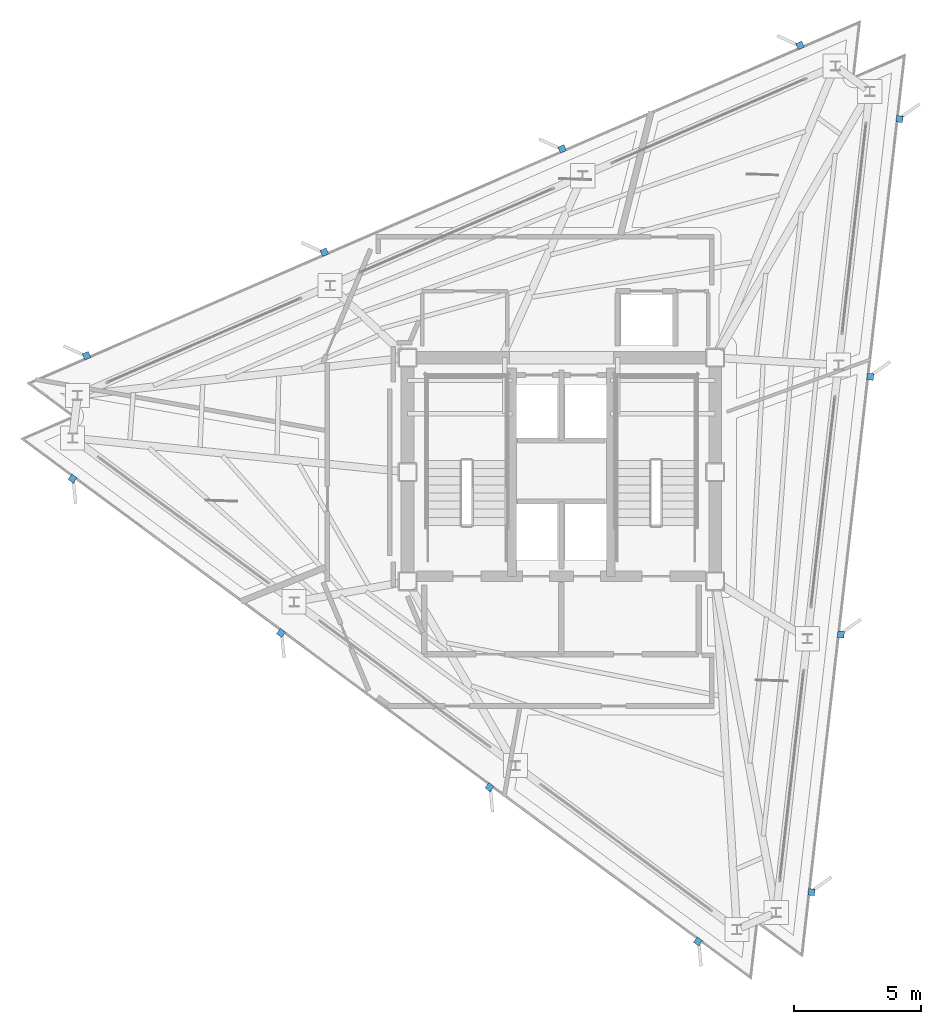
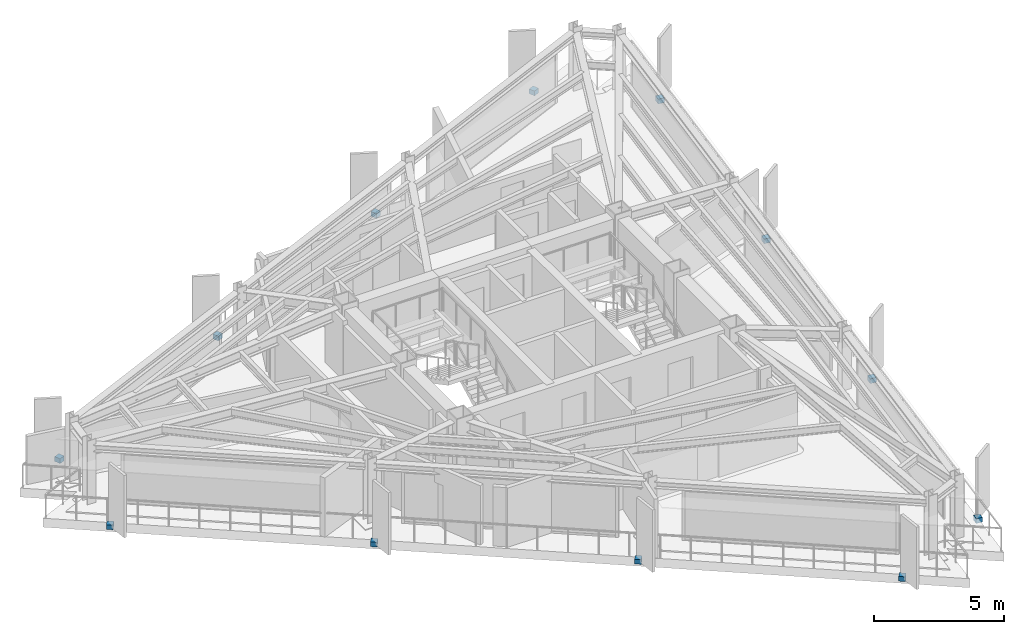
# One storey, part 7 of 10: 12 discrete accessories.
"""IFC4 building model written with IfcOpenShell, lengths in metres."""

import ifcopenshell
import ifcopenshell.guid

model = None  # the IFC model being written
_history = None  # IfcOwnerHistory: only IFC2X3 demands one
_inside = {}  # id of a spatial element -> (the spatial element, [elements in it])
_under = {}  # id of a project, library or spatial element -> (it, [spatial elements below it])
_declared = {}  # id of a project -> (the project, [libraries it declares])
_typed = {}  # id of a type object -> (the type object, [elements of that type])
_made_of = {}  # id of a material, layer set ... -> (it, [elements and type objects made of it])


def new_model(schema):
    """Start an empty IFC model of exactly this schema.

    Asked for "IFC4X3", IfcOpenShell would pick the latest addendum, in which some entities
    have other attributes; the version numbers below select the first issue.
    IFC2X3 requires an IfcOwnerHistory on every rooted entity: one is made here for all.
    """
    global model, _history
    if schema == "IFC4X3":
        model = ifcopenshell.file(schema_version=(4, 3, 0, 0))
    else:
        model = ifcopenshell.file(schema=schema)
    _inside.clear()
    _under.clear()
    _declared.clear()
    _typed.clear()
    _made_of.clear()
    _history = None
    if model.schema == "IFC2X3":
        org = make("IfcOrganization", Name="unknown")
        user = make(
            "IfcPersonAndOrganization",
            ThePerson=make("IfcPerson", FamilyName="unknown"),
            TheOrganization=org,
        )
        app = make(
            "IfcApplication",
            ApplicationDeveloper=org,
            Version="unknown",
            ApplicationFullName="unknown",
            ApplicationIdentifier="unknown",
        )
        _history = make(
            "IfcOwnerHistory",
            OwningUser=user,
            OwningApplication=app,
            ChangeAction="ADDED",
            CreationDate=0,
        )
    return model


def make(cls, **values):
    """One entity of the class cls with the attributes given. An attribute that is None is left unset."""
    return model.create_entity(
        cls, **{name: value for name, value in values.items() if value is not None}
    )


def rooted(cls, **values):
    """An entity with a GlobalId (a new one), such as an element, a storey or a relation."""
    return make(cls, GlobalId=ifcopenshell.guid.new(), OwnerHistory=_history, **values)


def si_unit(unit_type, name, prefix=None):
    """IfcSIUnit, for example si_unit("LENGTHUNIT", "METRE", prefix="MILLI")."""
    return make("IfcSIUnit", UnitType=unit_type, Prefix=prefix, Name=name)


def assignment(units):
    """IfcUnitAssignment: the units of a project."""
    return None if units is None else make("IfcUnitAssignment", Units=units)


def point(xyz):
    """IfcCartesianPoint."""
    return None if xyz is None else make("IfcCartesianPoint", Coordinates=xyz)


def direction(xyz):
    """IfcDirection."""
    return None if xyz is None else make("IfcDirection", DirectionRatios=xyz)


def frame(location, z_axis=None, x_axis=None):
    """IfcAxis2Placement3D, a coordinate frame: its origin and axes. An axis left out is left unset."""
    return make(
        "IfcAxis2Placement3D",
        Location=point(location),
        Axis=direction(z_axis),
        RefDirection=direction(x_axis),
    )


def frame_2d(location, x_axis=None):
    """IfcAxis2Placement2D, a coordinate frame in the plane: its origin and x axis."""
    return make(
        "IfcAxis2Placement2D", Location=point(location), RefDirection=direction(x_axis)
    )


def origin():
    """The frame at (0, 0, 0) with its axes left unset."""
    return frame((0.0, 0.0, 0.0))


def origin_2d():
    """The frame at (0, 0) in the plane with its x axis left unset."""
    return frame_2d((0.0, 0.0))


def place(relative_to, where):
    """IfcLocalPlacement: puts the frame where relative to a parent placement (None: the world)."""
    return make(
        "IfcLocalPlacement", PlacementRelTo=relative_to, RelativePlacement=where
    )


def context(
    kind, dimensions, precision=None, world=None, true_north=None, identifier=None
):
    """IfcGeometricRepresentationContext, for example the 3D "Model" context."""
    return make(
        "IfcGeometricRepresentationContext",
        ContextIdentifier=identifier,
        ContextType=kind,
        CoordinateSpaceDimension=dimensions,
        Precision=precision,
        WorldCoordinateSystem=world,
        TrueNorth=true_north,
    )


def subcontext(parent, identifier, kind, view, scale=None):
    """IfcGeometricRepresentationSubContext, for example "Body" below "Model"."""
    return make(
        "IfcGeometricRepresentationSubContext",
        ContextIdentifier=identifier,
        ContextType=kind,
        ParentContext=parent,
        TargetScale=scale,
        TargetView=view,
    )


def project(units=None, contexts=None):
    """IfcProject with its units and contexts."""
    return rooted(
        "IfcProject",
        Name="project",
        RepresentationContexts=contexts,
        UnitsInContext=assignment(units),
    )


def spatial(cls, under=None, at=None, **own):
    """A site, building, storey or space (cls), placed at a placement, below another one or the project."""
    s = rooted(cls, ObjectPlacement=at, **own)
    if under is not None:
        _under.setdefault(under.id(), (under, []))[1].append(s)
    return s


def profile(cls, at=None, kind="AREA", **sizes):
    """A parametric profile (cls). Its sizes go by their IFC names, for example OverallWidth=200.0."""
    return make(cls, ProfileType=kind, Position=at, **sizes)


def rectangle(**sizes):
    """IfcRectangleProfileDef."""
    return profile("IfcRectangleProfileDef", **sizes)


def extrude(swept, where, along, depth):
    """IfcExtrudedAreaSolid: the profile swept, set in the frame where, extruded along a direction by depth."""
    return make(
        "IfcExtrudedAreaSolid",
        SweptArea=swept,
        Position=where,
        ExtrudedDirection=direction(along),
        Depth=depth,
    )


def shape(context_of_items, identifier, shape_type, items):
    """IfcShapeRepresentation: the items that make up one representation, for example the "Body"."""
    return make(
        "IfcShapeRepresentation",
        ContextOfItems=context_of_items,
        RepresentationIdentifier=identifier,
        RepresentationType=shape_type,
        Items=items,
    )


def material(Name=None, Category=None):
    """IfcMaterial."""
    return make("IfcMaterial", Name=Name, Category=Category)


def layer(
    of_material, thickness, ventilated=None, Name=None, Category=None, Priority=None
):
    """IfcMaterialLayer: one layer of a wall or slab, of a material (None: an air gap)."""
    return make(
        "IfcMaterialLayer",
        Material=of_material,
        LayerThickness=thickness,
        IsVentilated=ventilated,
        Name=Name,
        Category=Category,
        Priority=Priority,
    )


def layer_set(layers, Name=None):
    """IfcMaterialLayerSet."""
    return make("IfcMaterialLayerSet", MaterialLayers=layers, LayerSetName=Name)


def made_of(thing, what):
    """Note that an element or type object is made of a material, layer set ...; save() writes the relation."""
    if what is not None:
        _made_of.setdefault(what.id(), (what, []))[1].append(thing)
    return thing


def type_object(cls, material=None, **own):
    """A type object (cls), such as IfcWallType, which elements share."""
    return made_of(rooted(cls, **own), material)


def element(
    cls,
    number,
    at=None,
    inside=None,
    cuts=None,
    type_object=None,
    material=None,
    context=None,
    identifier="Body",
    shape_type=None,
    held_by="IfcProductDefinitionShape",
    body=None,
    shapes=None,
    **own,
):
    """One element of the class cls, such as IfcWall. Its Tag is "e" and its number.

    at: its placement. inside: the storey or other place that contains it. cuts: it is an
    opening in that element (IfcRelVoidsElement). A single representation is given by context,
    identifier, shape_type and body (its items); several are given by shapes. held_by: the class
    of the entity that holds the representations. save() writes the other relations.
    """
    e = rooted(cls, Tag="e%d" % number, ObjectPlacement=at, **own)
    if body is not None:
        shapes = [shape(context, identifier, shape_type, body)]
    if shapes is not None:
        e.Representation = make(held_by, Representations=shapes)
    if inside is not None:
        _inside.setdefault(inside.id(), (inside, []))[1].append(e)
    if cuts is not None:
        rooted(
            "IfcRelVoidsElement", RelatingBuildingElement=cuts, RelatedOpeningElement=e
        )
    if type_object is not None:
        _typed.setdefault(type_object.id(), (type_object, []))[1].append(e)
    return made_of(e, material)


def aggregate(whole, parts):
    """IfcRelAggregates: a whole, such as a stair, and the parts it consists of."""
    return rooted("IfcRelAggregates", RelatingObject=whole, RelatedObjects=parts)


def save(model, path):
    """Write the relations noted so far, then the file.

    IfcRelAggregates (storeys below a building ...), IfcRelContainedInSpatialStructure (elements
    in a storey), IfcRelDefinesByType, IfcRelAssociatesMaterial and IfcRelDeclares: one each for
    every whole, place, type object, material and project.
    """
    for whole, parts in _under.values():
        aggregate(whole, parts)
    for where, things in _inside.values():
        rooted(
            "IfcRelContainedInSpatialStructure",
            RelatedElements=things,
            RelatingStructure=where,
        )
    for kind, things in _typed.values():
        rooted("IfcRelDefinesByType", RelatedObjects=things, RelatingType=kind)
    for what, things in _made_of.values():
        rooted("IfcRelAssociatesMaterial", RelatedObjects=things, RelatingMaterial=what)
    for by, libraries in _declared.values():
        rooted("IfcRelDeclares", RelatingContext=by, RelatedDefinitions=libraries)
    model.write(path)


model = new_model("IFC4")

# Units and contexts
model_context = context("Model", 3, precision=1e-05, world=origin(), true_north=direction((0.0, 1.0)))
body_context = subcontext(model_context, "Body", "Model", "MODEL_VIEW")
ifc_project = project(units=[si_unit("LENGTHUNIT", "METRE"), si_unit("AREAUNIT", "SQUARE_METRE"), si_unit("VOLUMEUNIT", "CUBIC_METRE"), si_unit("PLANEANGLEUNIT", "RADIAN"), si_unit("MASSUNIT", "GRAM", prefix="KILO")], contexts=[model_context])

# Site, building, storey
site_placement = place(None, origin())
site = spatial("IfcSite", under=ifc_project, at=site_placement, CompositionType="ELEMENT")
building_placement = place(site_placement, origin())
building = spatial("IfcBuilding", under=site, at=building_placement, Name="Rocaltana Carrier Exchange", CompositionType="ELEMENT")
storey_placement = place(building_placement, frame((0.0, 0.0, 214.8798828125)))
storey = spatial("IfcBuildingStorey", under=building, at=storey_placement, Name="L68", CompositionType="ELEMENT", Elevation=214.8798828125)

# Discrete accessories
ifc_material = material(Name="Brushed Architectural Stainless Metal", Category="steel")
ifc_layer = layer(ifc_material, 0.219970703125)
ifc_layer_set = layer_set([ifc_layer], Name="Brushed Architectural Stainless Metal")
discrete_accessory_type = type_object("IfcDiscreteAccessoryType", Name="Stainless Fin Slab-Edge Bracket 260x260x220", PredefinedType="BRACKET", material=ifc_layer_set)
for number, where, z_axis, x_axis, name in (
    (1, (9.837890625, -16.52001953125, -0.2099609375), (0.0, 0.0, 1.0), (0.113203213768, 0.993571855677, 0.0), "L68 Sandstone Fin Edge Bracket F1-01"),
    (2, (10.992431640625, -6.385498046875, -0.2099609375), (0.0, 0.0, 1.0), (0.113203213768, 0.993571855677, 0.0), "L68 Sandstone Fin Edge Bracket F1-02"),
    (3, (12.147216796875, 3.7490234375, -0.2099609375), (0.0, 0.0, 1.0), (0.113203213768, 0.993571855677, 0.0), "L68 Sandstone Fin Edge Bracket F1-03"),
    (4, (13.302001953125, 13.88330078125, -0.2099609375), (0.0, 0.0, 1.0), (0.113203213768, 0.993571855677, 0.0), "L68 Sandstone Fin Edge Bracket F1-04"),
    (5, (9.3876953125, 16.77978515625, -0.2099609375), (0.0, 0.0, 1.0), (-0.917060074385, -0.398749068925, 0.0), "L68 Sandstone Fin Edge Bracket F2-01"),
    (6, (0.03369140625, 12.71240234375, -0.2099609375), (0.0, 0.0, 1.0), (-0.917060074385, -0.398749068925, 0.0), "L68 Sandstone Fin Edge Bracket F2-02"),
    (7, (-9.3203125, 8.645263671875, -0.2099609375), (0.0, 0.0, 1.0), (-0.917060074385, -0.398749068925, 0.0), "L68 Sandstone Fin Edge Bracket F2-03"),
    (8, (-18.67431640625, 4.578125, -0.2099609375), (0.0, 0.0, 1.0), (-0.917060074385, -0.398749068925, 0.0), "L68 Sandstone Fin Edge Bracket F2-04"),
    (9, (-19.2255859375, -0.260009765625, -0.2099609375), (0.0, 0.0, 1.0), (0.803856860617, -0.594822786751, 0.0), "L68 Sandstone Fin Edge Bracket F3-01"),
    (10, (-11.026123046875, -6.3271484375, -0.2099609375), (0.0, 0.0, 1.0), (0.803856860617, -0.594822786751, 0.0), "L68 Sandstone Fin Edge Bracket F3-02"),
    (11, (-2.826904296875, -12.394287109375, -0.2099609375), (0.0, 0.0, 1.0), (0.803856860617, -0.594822786751, 0.0), "L68 Sandstone Fin Edge Bracket F3-03"),
    (12, (5.37255859375, -18.46142578125, -0.2099609375), (0.0, 0.0, 1.0), (0.803856860617, -0.594822786751, 0.0), "L68 Sandstone Fin Edge Bracket F3-04"),
):
    element("IfcDiscreteAccessory", number, at=place(storey_placement, frame(where, z_axis=z_axis, x_axis=x_axis)), inside=storey, type_object=discrete_accessory_type, Name=name, PredefinedType="BRACKET", context=body_context, shape_type="SweptSolid", body=[
        extrude(rectangle(XDim=0.260009765625, YDim=0.260009765625, at=origin_2d()), origin(), (0.0, 0.0, 1.0), 0.219970703125),
    ])

save(model, "model.ifc")
